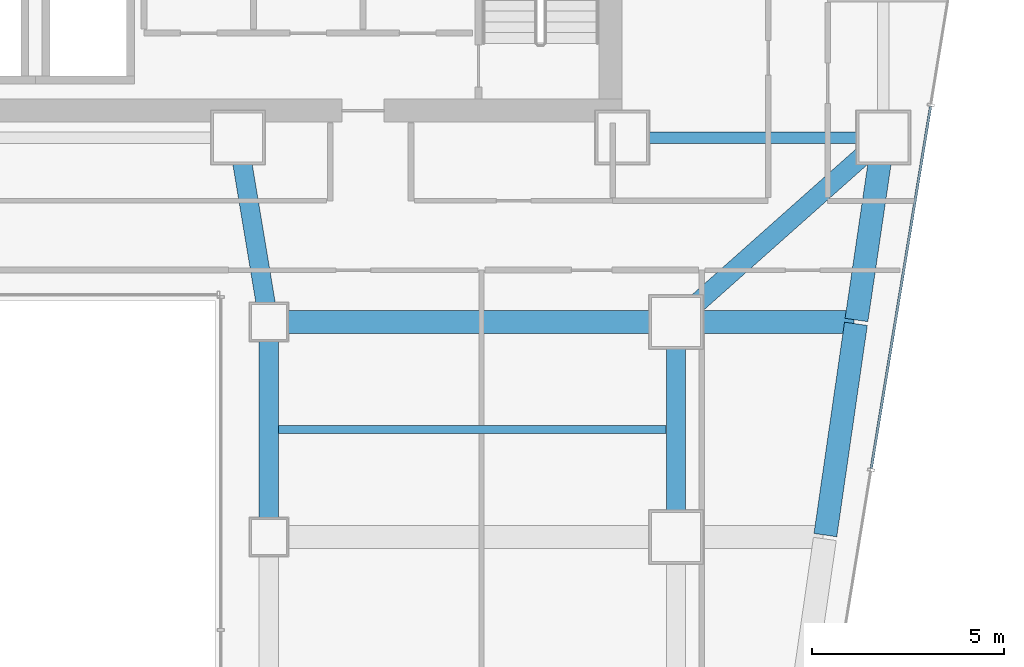
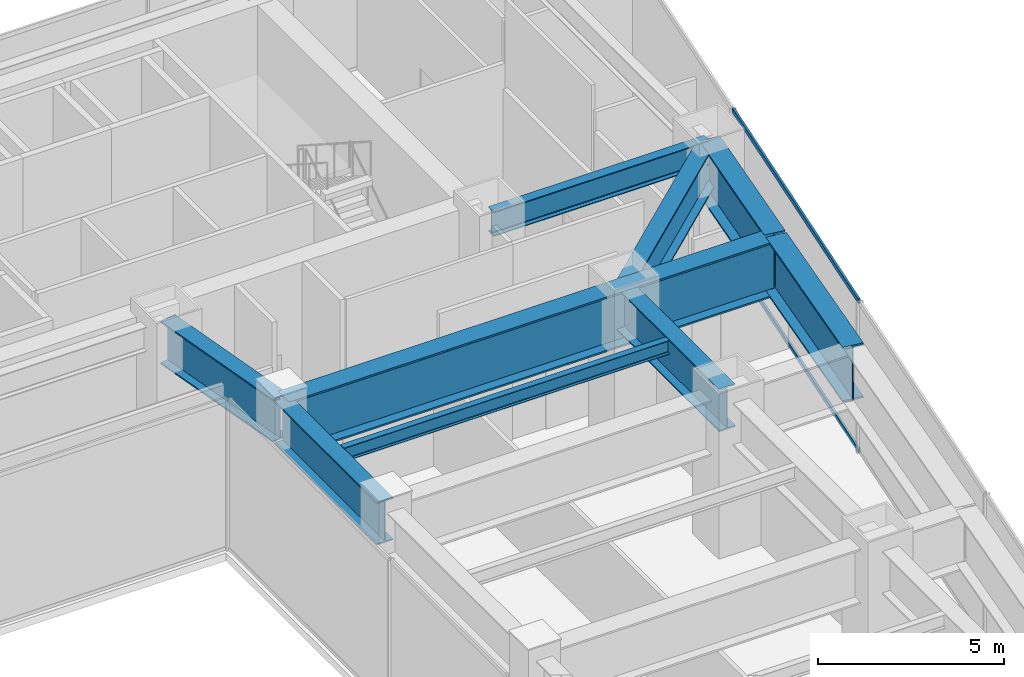
# One storey, part 32 of 42: 9 beams, 2 members, 1 element without a shape of its own.
"""IFC4 building model written with IfcOpenShell, lengths in metres."""

from ifc_helpers import new_model, si_unit, direction, frame, origin, origin_2d, place, context, subcontext, project, spatial, hollow_rectangle, i_section, extrude, material, material_profile, profile_set, type_object, element, aggregate, save


model = new_model("IFC4")

# Units and contexts
model_context = context("Model", 3, precision=1e-05, world=origin(), true_north=direction((0.0, 1.0)))
body_context = subcontext(model_context, "Body", "Model", "MODEL_VIEW")
ifc_project = project(units=[si_unit("LENGTHUNIT", "METRE"), si_unit("AREAUNIT", "SQUARE_METRE"), si_unit("VOLUMEUNIT", "CUBIC_METRE"), si_unit("PLANEANGLEUNIT", "RADIAN"), si_unit("MASSUNIT", "GRAM", prefix="KILO")], contexts=[model_context])

# Site, building, storey
site_placement = place(None, origin())
site = spatial("IfcSite", under=ifc_project, at=site_placement, CompositionType="ELEMENT")
building_placement = place(site_placement, origin())
building = spatial("IfcBuilding", under=site, at=building_placement, Name="Saevonmaru Cultural Tower", CompositionType="ELEMENT")
storey_placement = place(building_placement, frame((0.0, 0.0, 33.0)))
storey = spatial("IfcBuildingStorey", under=building, at=storey_placement, Name="L06", CompositionType="ELEMENT", Elevation=33.0)

# Beams
ifc_material_1 = material(Name="Steel SM420", Category="steel")
ifc_material_profile_1 = material_profile(ifc_material_1, i_section(OverallWidth=0.300048828125, OverallDepth=0.800048828125, WebThickness=0.013916015625, FlangeThickness=0.02587890625, FilletRadius=0.028076171875, at=origin_2d()), Name="H-800x300x14x26")
ifc_profile_set_1 = profile_set([ifc_material_profile_1], Name="Steel SM420")
beam_type_1 = type_object("IfcBeamType", Name="BM-G-H800", PredefinedType="BEAM", material=ifc_profile_set_1)
beam_1_placement = place(storey_placement, frame((46.4599609375, 42.39990234375, 4.550048828125), z_axis=(1.0, 0.0, 0.0), x_axis=(0.0, 1.0, 0.0)))
element("IfcBeam", 1, at=beam_1_placement, inside=storey, type_object=beam_type_1, Name="L06 Core South Girder 5", PredefinedType="BEAM", context=body_context, shape_type="SweptSolid", body=[
    extrude(i_section(OverallWidth=0.300048828125, OverallDepth=0.800048828125, WebThickness=0.013916015625, FlangeThickness=0.02587890625, FilletRadius=0.028076171875, at=origin_2d()), origin(), (0.0, 0.0, 1.0), 6.679931640625),
])
ifc_material_2 = material(Name="Steel SM355", Category="steel")
ifc_material_profile_2 = material_profile(ifc_material_2, i_section(OverallWidth=0.199951171875, OverallDepth=0.449951171875, WebThickness=0.009033203125, FlangeThickness=0.013916015625, FilletRadius=0.01806640625, at=origin_2d()), Name="H-450x200x9x14")
ifc_profile_set_2 = profile_set([ifc_material_profile_2], Name="Steel SM355")
beam_type_2 = type_object("IfcBeamType", Name="BM-J-H450", PredefinedType="JOIST", material=ifc_profile_set_2)
beam_2_placement = place(storey_placement, frame((37.4580078125, 34.800048828125, 4.72509765625), z_axis=(1.0, 0.0, 0.0), x_axis=(0.0, 1.0, 0.0)))
element("IfcBeam", 2, at=beam_2_placement, inside=storey, type_object=beam_type_2, Name="L06 Secondary Floor Joist JE-4", PredefinedType="JOIST", context=body_context, shape_type="SweptSolid", body=[
    extrude(i_section(OverallWidth=0.199951171875, OverallDepth=0.449951171875, WebThickness=0.009033203125, FlangeThickness=0.013916015625, FilletRadius=0.01806640625, at=origin_2d()), origin(), (0.0, 0.0, 1.0), 10.083984375),
])
ifc_material_3 = material(Name="Steel HSA600 (600 MPa)", Category="steel")
ifc_material_profile_3 = material_profile(ifc_material_3, i_section(OverallWidth=0.5, OverallDepth=1.39990234375, WebThickness=0.02392578125, FlangeThickness=0.044921875, at=origin_2d()), Name="PG-1400x500x24x45")
ifc_profile_set_3 = profile_set([ifc_material_profile_3], Name="Steel HSA600 (600 MPa)")
beam_type_3 = type_object("IfcBeamType", Name="BM-TG-PG1400", PredefinedType="BEAM", material=ifc_profile_set_3)
beam_3_placement = place(storey_placement, frame((37.199951171875, 32.06005859375, 4.25), z_axis=(0.0, 1.0, 0.0), x_axis=(-1.0, 0.0, 0.0)))
element("IfcBeam", 3, at=beam_3_placement, inside=storey, type_object=beam_type_3, Name="L06 Podium Girder NS3-5", PredefinedType="BEAM", context=body_context, shape_type="SweptSolid", body=[
    extrude(i_section(OverallWidth=0.5, OverallDepth=1.39990234375, WebThickness=0.02392578125, FlangeThickness=0.044921875, at=origin_2d()), origin(), (0.0, 0.0, 1.0), 5.47998046875),
])
beam_4_placement = place(storey_placement, frame((37.190185546875, 37.6591796875, 4.25), z_axis=(-0.164398987305, 0.986393923832, 0.0), x_axis=(-0.986393923832, -0.164398987305, 0.0)))
element("IfcBeam", 4, at=beam_4_placement, inside=storey, type_object=beam_type_3, Name="L06 Podium Girder NS3-6", PredefinedType="BEAM", context=body_context, shape_type="SweptSolid", body=[
    extrude(i_section(OverallWidth=0.5, OverallDepth=1.39990234375, WebThickness=0.02392578125, FlangeThickness=0.044921875, at=origin_2d()), origin(), (0.0, 0.0, 1.0), 4.746337890625),
])
beam_5_placement = place(storey_placement, frame((47.800048828125, 32.06005859375, 4.25), z_axis=(0.0, 1.0, 0.0), x_axis=(-1.0, 0.0, 0.0)))
element("IfcBeam", 5, at=beam_5_placement, inside=storey, type_object=beam_type_3, Name="L06 Podium Girder NS4-5", PredefinedType="BEAM", context=body_context, shape_type="SweptSolid", body=[
    extrude(i_section(OverallWidth=0.5, OverallDepth=1.39990234375, WebThickness=0.02392578125, FlangeThickness=0.044921875, at=origin_2d()), origin(), (0.0, 0.0, 1.0), 5.47998046875),
])
beam_6_placement = place(storey_placement, frame((47.8447265625, 37.639892578125, 4.25), z_axis=(0.74742827637, 0.664342510819, 0.0), x_axis=(-0.664342510819, 0.74742827637, 0.0)))
element("IfcBeam", 6, at=beam_6_placement, inside=storey, type_object=beam_type_3, Name="L06 Podium Girder NS4-6", PredefinedType="BEAM", context=body_context, shape_type="SweptSolid", body=[
    extrude(i_section(OverallWidth=0.5, OverallDepth=1.39990234375, WebThickness=0.02392578125, FlangeThickness=0.044921875, at=origin_2d()), origin(), (0.0, 0.0, 1.0), 7.10498046875),
])
ifc_material_profile_4 = material_profile(ifc_material_3, i_section(OverallWidth=0.60009765625, OverallDepth=1.800048828125, WebThickness=0.028076171875, FlangeThickness=0.054931640625, at=origin_2d()), Name="PG-1800x600x28x55")
ifc_profile_set_4 = profile_set([ifc_material_profile_4], Name="Steel HSA600 (600 MPa)")
beam_type_4 = type_object("IfcBeamType", Name="BM-TG-PG1800", PredefinedType="BEAM", material=ifc_profile_set_4)
beam_7_placement = place(storey_placement, frame((37.260009765625, 37.60009765625, 4.050048828125), z_axis=(1.0, 0.0, 0.0), x_axis=(0.0, 1.0, 0.0)))
element("IfcBeam", 7, at=beam_7_placement, inside=storey, type_object=beam_type_4, Name="L06 Transfer Plate Girder E-5", PredefinedType="BEAM", context=body_context, shape_type="SweptSolid", body=[
    extrude(i_section(OverallWidth=0.60009765625, OverallDepth=1.800048828125, WebThickness=0.028076171875, FlangeThickness=0.054931640625, at=origin_2d()), origin(), (0.0, 0.0, 1.0), 15.171875),
])
ifc_material_profile_5 = material_profile(ifc_material_3, i_section(OverallWidth=0.60009765625, OverallDepth=1.800048828125, WebThickness=0.028076171875, FlangeThickness=0.054931640625, at=origin_2d()), Name="PG-1800x600x28x55")
ifc_profile_set_5 = profile_set([ifc_material_profile_5], Name="Steel HSA600 (600 MPa)")
beam_type_5 = type_object("IfcBeamType", Name="BM-TG-PG1800-EXT", PredefinedType="SPANDREL", material=ifc_profile_set_5)
beam_8_placement = place(storey_placement, frame((51.690185546875, 32.049560546875, 4.050048828125), z_axis=(0.142977017512, 0.989726008784, 0.0), x_axis=(-0.989726008784, 0.142977017512, 0.0)))
element("IfcBeam", 8, at=beam_8_placement, inside=storey, type_object=beam_type_5, Name="L06 Perimeter Transfer Spandrel E-5", PredefinedType="SPANDREL", context=body_context, shape_type="SweptSolid", body=[
    extrude(i_section(OverallWidth=0.60009765625, OverallDepth=1.800048828125, WebThickness=0.028076171875, FlangeThickness=0.054931640625, at=origin_2d()), origin(), (0.0, 0.0, 1.0), 5.55810546875),
])
beam_9_placement = place(storey_placement, frame((52.499267578125, 37.6494140625, 4.050048828125), z_axis=(0.145908118691, 0.989298145606, 0.0), x_axis=(-0.989298145606, 0.145908118691, 0.0)))
element("IfcBeam", 9, at=beam_9_placement, inside=storey, type_object=beam_type_5, Name="L06 Perimeter Transfer Spandrel E-6", PredefinedType="SPANDREL", context=body_context, shape_type="SweptSolid", body=[
    extrude(i_section(OverallWidth=0.60009765625, OverallDepth=1.800048828125, WebThickness=0.028076171875, FlangeThickness=0.054931640625, at=origin_2d()), origin(), (0.0, 0.0, 1.0), 4.751953125),
])

# Curtain wall, members
ifc_material_4 = material(Name="Satin Bronze Anodised Aluminium", Category="aluminium")
curtain_wall_type = type_object("IfcCurtainWallType", Name="CW-SKY-GLZ", PredefinedType="NOTDEFINED", material=ifc_material_4)
curtain_wall_placement = place(storey_placement, origin())
curtain_wall = element("IfcCurtainWall", 10, at=curtain_wall_placement, inside=storey, type_object=curtain_wall_type, Name="L06 Unitised Curtain Wall E8", PredefinedType="NOTDEFINED")
ifc_material_profile_6 = material_profile(ifc_material_4, hollow_rectangle(XDim=0.06494140625, YDim=0.14990234375, WallThickness=0.00390625, at=origin_2d()), Name="ALU-TRAN-150x65x4")
ifc_profile_set_6 = profile_set([ifc_material_profile_6], Name="Satin Bronze Anodised Aluminium")
member_type = type_object("IfcMemberType", Name="TR-CW-150x65", PredefinedType="USERDEFINED", material=ifc_profile_set_6)
member_1_placement = place(storey_placement, frame((52.88330078125, 33.7802734375, 0.032470703125), z_axis=(0.161714267134, 0.986837623829, 0.0), x_axis=(-0.986837623829, 0.161714267134, 0.0)))
member_1 = element("IfcMember", 11, at=member_1_placement, type_object=member_type, Name="CW-TW-L06-E8 transom 4.1", ObjectType="TRANSOM", PredefinedType="USERDEFINED", context=body_context, shape_type="SweptSolid", body=[
    extrude(hollow_rectangle(XDim=0.06494140625, YDim=0.14990234375, WallThickness=0.00390625, at=origin_2d()), origin(), (0.0, 0.0, 1.0), 9.557861328125),
])
member_2_placement = place(storey_placement, frame((52.88330078125, 33.7802734375, 4.91748046875), z_axis=(0.161714267134, 0.986837623829, 0.0), x_axis=(-0.986837623829, 0.161714267134, 0.0)))
member_2 = element("IfcMember", 12, at=member_2_placement, type_object=member_type, Name="CW-TW-L06-E8 transom 4.2", ObjectType="TRANSOM", PredefinedType="USERDEFINED", context=body_context, shape_type="SweptSolid", body=[
    extrude(hollow_rectangle(XDim=0.06494140625, YDim=0.14990234375, WallThickness=0.00390625, at=origin_2d()), origin(), (0.0, 0.0, 1.0), 9.557861328125),
])
aggregate(curtain_wall, [member_1, member_2])

save(model, "model.ifc")
